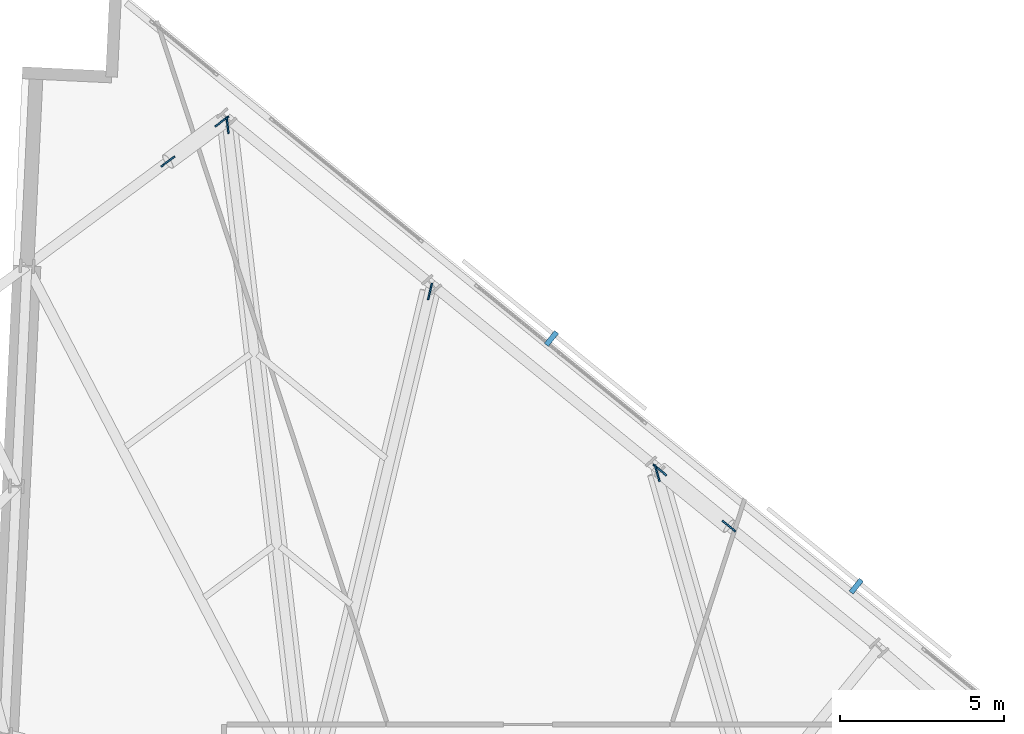
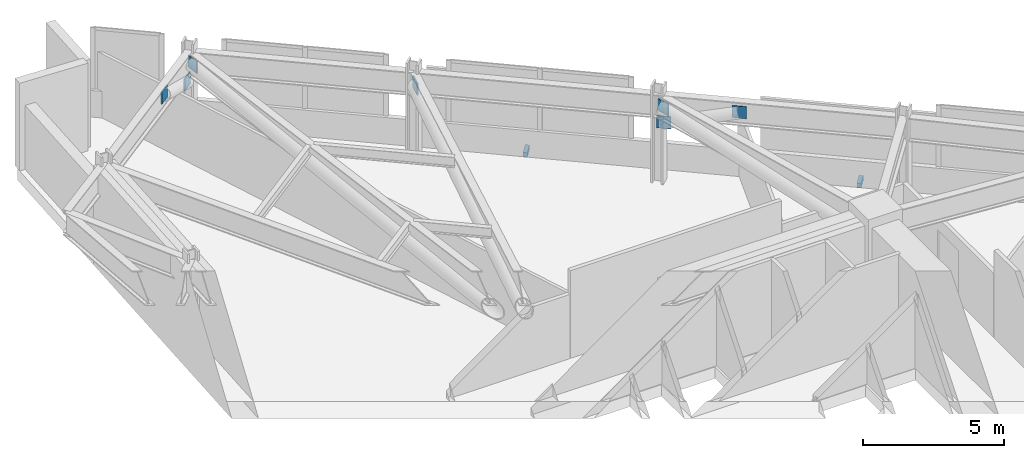
# One storey, part 16 of 18: 9 discrete accessories.
"""IFC4 building model written with IfcOpenShell, lengths in metres."""

import ifcopenshell
import ifcopenshell.guid

model = None  # the IFC model being written
_history = None  # IfcOwnerHistory: only IFC2X3 demands one
_inside = {}  # id of a spatial element -> (the spatial element, [elements in it])
_under = {}  # id of a project, library or spatial element -> (it, [spatial elements below it])
_declared = {}  # id of a project -> (the project, [libraries it declares])
_typed = {}  # id of a type object -> (the type object, [elements of that type])
_made_of = {}  # id of a material, layer set ... -> (it, [elements and type objects made of it])


def new_model(schema):
    """Start an empty IFC model of exactly this schema.

    Asked for "IFC4X3", IfcOpenShell would pick the latest addendum, in which some entities
    have other attributes; the version numbers below select the first issue.
    IFC2X3 requires an IfcOwnerHistory on every rooted entity: one is made here for all.
    """
    global model, _history
    if schema == "IFC4X3":
        model = ifcopenshell.file(schema_version=(4, 3, 0, 0))
    else:
        model = ifcopenshell.file(schema=schema)
    _inside.clear()
    _under.clear()
    _declared.clear()
    _typed.clear()
    _made_of.clear()
    _history = None
    if model.schema == "IFC2X3":
        org = make("IfcOrganization", Name="unknown")
        user = make(
            "IfcPersonAndOrganization",
            ThePerson=make("IfcPerson", FamilyName="unknown"),
            TheOrganization=org,
        )
        app = make(
            "IfcApplication",
            ApplicationDeveloper=org,
            Version="unknown",
            ApplicationFullName="unknown",
            ApplicationIdentifier="unknown",
        )
        _history = make(
            "IfcOwnerHistory",
            OwningUser=user,
            OwningApplication=app,
            ChangeAction="ADDED",
            CreationDate=0,
        )
    return model


def make(cls, **values):
    """One entity of the class cls with the attributes given. An attribute that is None is left unset."""
    return model.create_entity(
        cls, **{name: value for name, value in values.items() if value is not None}
    )


def rooted(cls, **values):
    """An entity with a GlobalId (a new one), such as an element, a storey or a relation."""
    return make(cls, GlobalId=ifcopenshell.guid.new(), OwnerHistory=_history, **values)


def si_unit(unit_type, name, prefix=None):
    """IfcSIUnit, for example si_unit("LENGTHUNIT", "METRE", prefix="MILLI")."""
    return make("IfcSIUnit", UnitType=unit_type, Prefix=prefix, Name=name)


def assignment(units):
    """IfcUnitAssignment: the units of a project."""
    return None if units is None else make("IfcUnitAssignment", Units=units)


def point(xyz):
    """IfcCartesianPoint."""
    return None if xyz is None else make("IfcCartesianPoint", Coordinates=xyz)


def direction(xyz):
    """IfcDirection."""
    return None if xyz is None else make("IfcDirection", DirectionRatios=xyz)


def frame(location, z_axis=None, x_axis=None):
    """IfcAxis2Placement3D, a coordinate frame: its origin and axes. An axis left out is left unset."""
    return make(
        "IfcAxis2Placement3D",
        Location=point(location),
        Axis=direction(z_axis),
        RefDirection=direction(x_axis),
    )


def frame_2d(location, x_axis=None):
    """IfcAxis2Placement2D, a coordinate frame in the plane: its origin and x axis."""
    return make(
        "IfcAxis2Placement2D", Location=point(location), RefDirection=direction(x_axis)
    )


def origin():
    """The frame at (0, 0, 0) with its axes left unset."""
    return frame((0.0, 0.0, 0.0))


def origin_2d():
    """The frame at (0, 0) in the plane with its x axis left unset."""
    return frame_2d((0.0, 0.0))


def place(relative_to, where):
    """IfcLocalPlacement: puts the frame where relative to a parent placement (None: the world)."""
    return make(
        "IfcLocalPlacement", PlacementRelTo=relative_to, RelativePlacement=where
    )


def context(
    kind, dimensions, precision=None, world=None, true_north=None, identifier=None
):
    """IfcGeometricRepresentationContext, for example the 3D "Model" context."""
    return make(
        "IfcGeometricRepresentationContext",
        ContextIdentifier=identifier,
        ContextType=kind,
        CoordinateSpaceDimension=dimensions,
        Precision=precision,
        WorldCoordinateSystem=world,
        TrueNorth=true_north,
    )


def subcontext(parent, identifier, kind, view, scale=None):
    """IfcGeometricRepresentationSubContext, for example "Body" below "Model"."""
    return make(
        "IfcGeometricRepresentationSubContext",
        ContextIdentifier=identifier,
        ContextType=kind,
        ParentContext=parent,
        TargetScale=scale,
        TargetView=view,
    )


def project(units=None, contexts=None):
    """IfcProject with its units and contexts."""
    return rooted(
        "IfcProject",
        Name="project",
        RepresentationContexts=contexts,
        UnitsInContext=assignment(units),
    )


def spatial(cls, under=None, at=None, **own):
    """A site, building, storey or space (cls), placed at a placement, below another one or the project."""
    s = rooted(cls, ObjectPlacement=at, **own)
    if under is not None:
        _under.setdefault(under.id(), (under, []))[1].append(s)
    return s


def profile(cls, at=None, kind="AREA", **sizes):
    """A parametric profile (cls). Its sizes go by their IFC names, for example OverallWidth=200.0."""
    return make(cls, ProfileType=kind, Position=at, **sizes)


def rectangle(**sizes):
    """IfcRectangleProfileDef."""
    return profile("IfcRectangleProfileDef", **sizes)


def extrude(swept, where, along, depth):
    """IfcExtrudedAreaSolid: the profile swept, set in the frame where, extruded along a direction by depth."""
    return make(
        "IfcExtrudedAreaSolid",
        SweptArea=swept,
        Position=where,
        ExtrudedDirection=direction(along),
        Depth=depth,
    )


def shape(context_of_items, identifier, shape_type, items):
    """IfcShapeRepresentation: the items that make up one representation, for example the "Body"."""
    return make(
        "IfcShapeRepresentation",
        ContextOfItems=context_of_items,
        RepresentationIdentifier=identifier,
        RepresentationType=shape_type,
        Items=items,
    )


def material(Name=None, Category=None):
    """IfcMaterial."""
    return make("IfcMaterial", Name=Name, Category=Category)


def made_of(thing, what):
    """Note that an element or type object is made of a material, layer set ...; save() writes the relation."""
    if what is not None:
        _made_of.setdefault(what.id(), (what, []))[1].append(thing)
    return thing


def type_object(cls, material=None, **own):
    """A type object (cls), such as IfcWallType, which elements share."""
    return made_of(rooted(cls, **own), material)


def element(
    cls,
    number,
    at=None,
    inside=None,
    cuts=None,
    type_object=None,
    material=None,
    context=None,
    identifier="Body",
    shape_type=None,
    held_by="IfcProductDefinitionShape",
    body=None,
    shapes=None,
    **own,
):
    """One element of the class cls, such as IfcWall. Its Tag is "e" and its number.

    at: its placement. inside: the storey or other place that contains it. cuts: it is an
    opening in that element (IfcRelVoidsElement). A single representation is given by context,
    identifier, shape_type and body (its items); several are given by shapes. held_by: the class
    of the entity that holds the representations. save() writes the other relations.
    """
    e = rooted(cls, Tag="e%d" % number, ObjectPlacement=at, **own)
    if body is not None:
        shapes = [shape(context, identifier, shape_type, body)]
    if shapes is not None:
        e.Representation = make(held_by, Representations=shapes)
    if inside is not None:
        _inside.setdefault(inside.id(), (inside, []))[1].append(e)
    if cuts is not None:
        rooted(
            "IfcRelVoidsElement", RelatingBuildingElement=cuts, RelatedOpeningElement=e
        )
    if type_object is not None:
        _typed.setdefault(type_object.id(), (type_object, []))[1].append(e)
    return made_of(e, material)


def aggregate(whole, parts):
    """IfcRelAggregates: a whole, such as a stair, and the parts it consists of."""
    return rooted("IfcRelAggregates", RelatingObject=whole, RelatedObjects=parts)


def save(model, path):
    """Write the relations noted so far, then the file.

    IfcRelAggregates (storeys below a building ...), IfcRelContainedInSpatialStructure (elements
    in a storey), IfcRelDefinesByType, IfcRelAssociatesMaterial and IfcRelDeclares: one each for
    every whole, place, type object, material and project.
    """
    for whole, parts in _under.values():
        aggregate(whole, parts)
    for where, things in _inside.values():
        rooted(
            "IfcRelContainedInSpatialStructure",
            RelatedElements=things,
            RelatingStructure=where,
        )
    for kind, things in _typed.values():
        rooted("IfcRelDefinesByType", RelatedObjects=things, RelatingType=kind)
    for what, things in _made_of.values():
        rooted("IfcRelAssociatesMaterial", RelatedObjects=things, RelatingMaterial=what)
    for by, libraries in _declared.values():
        rooted("IfcRelDeclares", RelatingContext=by, RelatedDefinitions=libraries)
    model.write(path)


model = new_model("IFC4")

# Units and contexts
model_context = context("Model", 3, precision=1e-05, world=origin(), true_north=direction((0.0, 1.0)))
body_context = subcontext(model_context, "Body", "Model", "MODEL_VIEW")
ifc_project = project(units=[si_unit("LENGTHUNIT", "METRE"), si_unit("AREAUNIT", "SQUARE_METRE"), si_unit("VOLUMEUNIT", "CUBIC_METRE"), si_unit("PLANEANGLEUNIT", "RADIAN"), si_unit("MASSUNIT", "GRAM", prefix="KILO")], contexts=[model_context])

# Site, building, storey
site_placement = place(None, origin())
site = spatial("IfcSite", under=ifc_project, at=site_placement, CompositionType="ELEMENT")
building_placement = place(site_placement, origin())
building = spatial("IfcBuilding", under=site, at=building_placement, Name="Narakoshi Arena Tower", CompositionType="ELEMENT")
storey_placement = place(building_placement, frame((0.0, 0.0, 59.10009765625)))
storey = spatial("IfcBuildingStorey", under=building, at=storey_placement, Name="L15", CompositionType="ELEMENT", Elevation=59.10009765625)

# Discrete accessories
ifc_material_1 = material(Name="Structural steel S355J2", Category="steel")
discrete_accessory_type_1 = type_object("IfcDiscreteAccessoryType", Name="ACC-BRK-SCR", PredefinedType="BRACKET", material=ifc_material_1)
for number, where, z_axis, x_axis, name in (
    (1, (88.76708984375, 63.175537109375, -0.080078125), (0.0, 0.0, 1.0), (-0.776002375698, 0.630729984154, 0.0), "L15 Solar Screen Support Bracket SHD-L15-PLV2-1"),
    (2, (79.454833984375, 70.744384765625, -0.080078125), (0.0, 0.0, 1.0), (-0.776002375698, 0.630729984154, 0.0), "L15 Solar Screen Support Bracket SHD-L15-PLV2-2"),
):
    element("IfcDiscreteAccessory", number, at=place(storey_placement, frame(where, z_axis=z_axis, x_axis=x_axis)), inside=storey, type_object=discrete_accessory_type_1, Name=name, PredefinedType="BRACKET", context=body_context, shape_type="SweptSolid", body=[
        extrude(rectangle(XDim=0.159912109375, YDim=0.5, at=origin_2d()), origin(), (0.0, 0.0, 1.0), 0.199951171875),
    ])
ifc_material_2 = material(Name="Structural steel S460ML", Category="steel")
discrete_accessory_type_2 = type_object("IfcDiscreteAccessoryType", Name="ACC-GUS-PLT", PredefinedType="BRACKET", material=ifc_material_2)
for number, where, z_axis, x_axis, name in (
    (3, (82.7666015625, 66.72509765625, 2.289794921875), (0.0, 0.0, 1.0), (-0.775936321554, 0.630811243474, 0.0), "L15 Brace Node Gusset Plate 0140"),
    (4, (84.875, 65.011474609375, 3.035888671875), (0.0, 0.0, 1.0), (-0.775936321554, 0.630811243474, 0.0), "L15 Brace Node Gusset Plate 0141"),
    (5, (69.386474609375, 77.3759765625, 2.289794921875), (0.0, 0.0, 1.0), (0.803129547743, 0.595804439009, 0.0), "L15 Brace Node Gusset Plate 0142"),
    (6, (67.734619140625, 76.150634765625, 3.035888671875), (0.0, 0.0, 1.0), (0.803129547743, 0.595804439009, 0.0), "L15 Brace Node Gusset Plate 0143"),
    (7, (82.68701171875, 66.626953125, 3.035888671875), (0.0, 0.0, 1.0), (-0.272112304173, 0.962265500742, 0.0), "L15 Brace Node Gusset Plate 0149"),
    (8, (75.7431640625, 72.178466796875, 3.035888671875), (0.0, 0.0, 1.0), (0.232257215962, 0.97265440195, 0.0), "L15 Brace Node Gusset Plate 0151"),
    (9, (69.556640625, 77.2646484375, 3.035888671875), (0.0, 0.0, 1.0), (-0.1168440763, 0.993150271527, 0.0), "L15 Brace Node Gusset Plate 0153"),
):
    element("IfcDiscreteAccessory", number, at=place(storey_placement, frame(where, z_axis=z_axis, x_axis=x_axis)), inside=storey, type_object=discrete_accessory_type_2, Name=name, PredefinedType="BRACKET", context=body_context, shape_type="SweptSolid", body=[
        extrude(rectangle(XDim=0.52001953125, YDim=0.050048828125, at=origin_2d()), origin(), (0.0, 0.0, 1.0), 0.52001953125),
    ])

save(model, "model.ifc")
